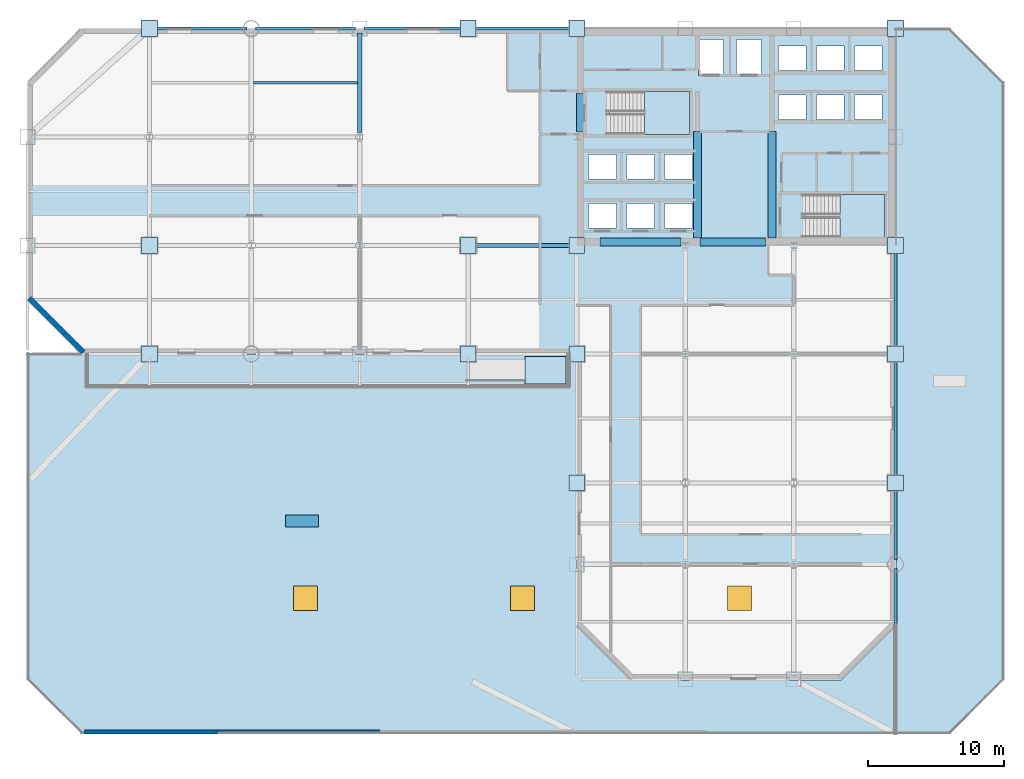
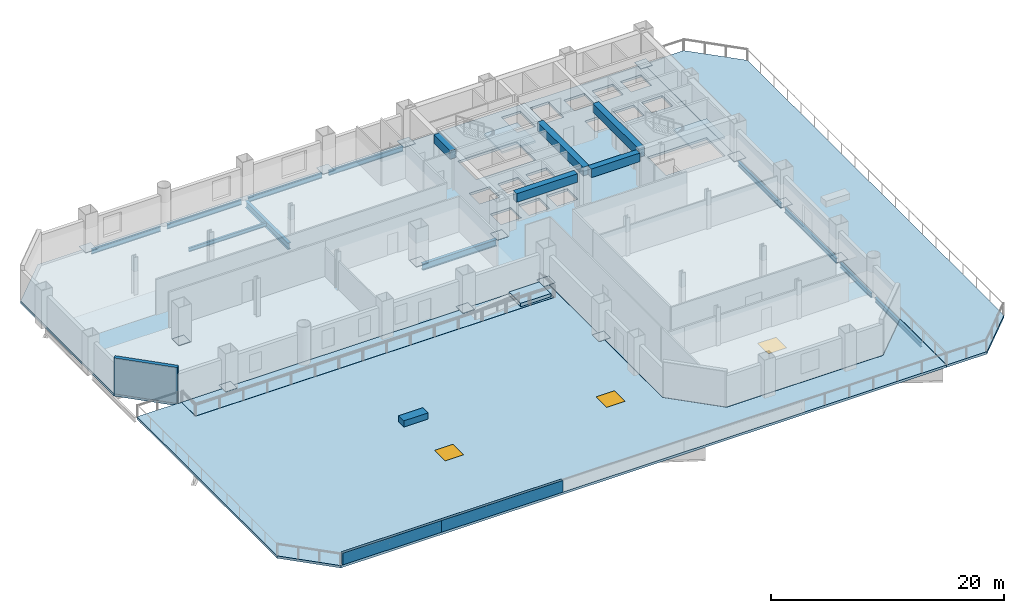
# One storey, part 4 of 11: 16 beams, 14 plates, 7 slabs, 4 walls, 3 windows, 3 openings, 3 elements without a shape of their own.
"""IFC4 building model written with IfcOpenShell, lengths in metres."""

from ifc_helpers import new_model, si_unit, direction, frame, frame_2d, origin, origin_2d, place, context, subcontext, project, spatial, polyline, rectangle, i_section, outline, extrude, material, layer, layer_set, material_profile, profile_set, type_object, element, fill, aggregate, save


model = new_model("IFC4")

# Units and contexts
model_context = context("Model", 3, precision=1e-05, world=origin(), true_north=direction((0.0, 1.0)))
body_context = subcontext(model_context, "Body", "Model", "MODEL_VIEW")
ifc_project = project(units=[si_unit("LENGTHUNIT", "METRE"), si_unit("AREAUNIT", "SQUARE_METRE"), si_unit("VOLUMEUNIT", "CUBIC_METRE"), si_unit("PLANEANGLEUNIT", "RADIAN"), si_unit("MASSUNIT", "GRAM", prefix="KILO")], contexts=[model_context])

# Site, building, storey
site_placement = place(None, origin())
site = spatial("IfcSite", under=ifc_project, at=site_placement, CompositionType="ELEMENT")
building_placement = place(site_placement, origin())
building = spatial("IfcBuilding", under=site, at=building_placement, Name="Qianrong Seaharbour Tower", CompositionType="ELEMENT")
storey_placement = place(building_placement, frame((0.0, 0.0, 28.199951171875)))
storey = spatial("IfcBuildingStorey", under=building, at=storey_placement, Name="L06", CompositionType="ELEMENT", Elevation=28.199951171875)

# Beams
ifc_material_1 = material(Name="Structural steel SN490B", Category="steel")
ifc_material_profile_1 = material_profile(ifc_material_1, i_section(OverallWidth=0.300048828125, OverallDepth=0.699951171875, WebThickness=0.012939453125, FlangeThickness=0.02392578125, FilletRadius=0.02587890625, at=origin_2d()), Name="H700x300x13x24")
ifc_profile_set_1 = profile_set([ifc_material_profile_1], Name="Structural steel SN490B")
beam_type_1 = type_object("IfcBeamType", Name="BM-G-700", PredefinedType="BEAM", material=ifc_profile_set_1)
for number, where, z_axis, x_axis, name in (
    (1, (32.820068359375, 36.0, -0.599853515625), (1.0, 0.0, 0.0), (0.0, 1.0, 0.0), "L06 Primary Girder GF G5-G6"),
    (2, (24.5, 44.320068359375, -0.599853515625), (0.0, 1.0, 0.0), (-1.0, 0.0, 0.0), "L06 Primary Girder G4 GG-GH"),
):
    element("IfcBeam", number, at=place(storey_placement, frame(where, z_axis=z_axis, x_axis=x_axis)), inside=storey, type_object=beam_type_1, Name=name, PredefinedType="BEAM", context=body_context, shape_type="SweptSolid", body=[
        extrude(i_section(OverallWidth=0.300048828125, OverallDepth=0.699951171875, WebThickness=0.012939453125, FlangeThickness=0.02392578125, FilletRadius=0.02587890625, at=origin_2d()), origin(), (0.0, 0.0, 1.0), 7.35986328125),
    ])
ifc_material_2 = material(Name="Structural steel SN400B", Category="steel")
ifc_material_profile_2 = material_profile(ifc_material_2, i_section(OverallWidth=0.199951171875, OverallDepth=0.39990234375, WebThickness=0.008056640625, FlangeThickness=0.012939453125, FilletRadius=0.01611328125, at=origin_2d()), Name="H400x200x8x13")
ifc_profile_set_2 = profile_set([ifc_material_profile_2], Name="Structural steel SN400B")
beam_type_2 = type_object("IfcBeamType", Name="BM-J-400", PredefinedType="JOIST", material=ifc_profile_set_2)
beam_1_placement = place(storey_placement, frame((16.64990234375, 48.0, -0.449951171875), z_axis=(1.0, 0.0, 0.0), x_axis=(0.0, 1.0, 0.0)))
element("IfcBeam", 3, at=beam_1_placement, inside=storey, type_object=beam_type_2, Name="L06 Composite Floor Joist G3-G4/GG-GH", PredefinedType="JOIST", context=body_context, shape_type="SweptSolid", body=[
    extrude(i_section(OverallWidth=0.199951171875, OverallDepth=0.39990234375, WebThickness=0.008056640625, FlangeThickness=0.012939453125, FilletRadius=0.01611328125, at=origin_2d()), origin(), (0.0, 0.0, 1.0), 7.7001953125),
])
ifc_material_3 = material(Name="Concrete C70/85", Category="concrete")
ifc_material_profile_3 = material_profile(ifc_material_3, rectangle(XDim=0.60009765625, YDim=0.89990234375, at=origin_2d()), Name="RC600x900")
ifc_profile_set_3 = profile_set([ifc_material_profile_3], Name="Concrete C70/85")
beam_type_3 = type_object("IfcBeamType", Name="BM-LINTEL-900", PredefinedType="LINTEL", material=ifc_profile_set_3)
beam_2_placement = place(storey_placement, frame((40.77001953125, 44.39990234375, 3.300048828125), z_axis=(0.0, 1.0, 0.0), x_axis=(-1.0, 0.0, 0.0)))
element("IfcBeam", 4, at=beam_2_placement, inside=storey, type_object=beam_type_3, Name="L06 Core Coupling Lintel Beam West", PredefinedType="LINTEL", context=body_context, shape_type="SweptSolid", body=[
    extrude(rectangle(XDim=0.60009765625, YDim=0.89990234375, at=origin_2d()), origin(), (0.0, 0.0, 1.0), 2.800048828125),
])
beam_3_placement = place(storey_placement, frame((42.199951171875, 36.27001953125, 3.300048828125), z_axis=(1.0, 0.0, 0.0), x_axis=(0.0, 1.0, 0.0)))
element("IfcBeam", 5, at=beam_3_placement, inside=storey, type_object=beam_type_3, Name="L06 Core Coupling Lintel Beam CBW", PredefinedType="LINTEL", context=body_context, shape_type="SweptSolid", body=[
    extrude(rectangle(XDim=0.60009765625, YDim=0.89990234375, at=origin_2d()), origin(), (0.0, 0.0, 1.0), 6.0),
])
beam_4_placement = place(storey_placement, frame((49.60009765625, 36.27001953125, 3.300048828125), z_axis=(1.0, 0.0, 0.0), x_axis=(0.0, 1.0, 0.0)))
element("IfcBeam", 6, at=beam_4_placement, inside=storey, type_object=beam_type_3, Name="L06 Core Coupling Lintel Beam CBC", PredefinedType="LINTEL", context=body_context, shape_type="SweptSolid", body=[
    extrude(rectangle(XDim=0.60009765625, YDim=0.89990234375, at=origin_2d()), origin(), (0.0, 0.0, 1.0), 4.7998046875),
])
for number, where, z_axis, x_axis, name in (
    (7, (49.39990234375, 36.5400390625, 3.300048828125), (0.0, 1.0, 0.0), (-1.0, 0.0, 0.0), "L06 Internal Core Coupling Beam IW1"),
    (8, (54.89990234375, 36.5400390625, 3.300048828125), (0.0, 1.0, 0.0), (-1.0, 0.0, 0.0), "L06 Internal Core Coupling Beam IW2"),
):
    element("IfcBeam", number, at=place(storey_placement, frame(where, z_axis=z_axis, x_axis=x_axis)), inside=storey, type_object=beam_type_3, Name=name, PredefinedType="LINTEL", context=body_context, shape_type="SweptSolid", body=[
        extrude(rectangle(XDim=0.60009765625, YDim=0.89990234375, at=origin_2d()), origin(), (0.0, 0.0, 1.0), 7.85986328125),
    ])
ifc_material_profile_4 = material_profile(ifc_material_1, i_section(OverallWidth=0.199951171875, OverallDepth=0.5, WebThickness=0.010009765625, FlangeThickness=0.01611328125, FilletRadius=0.02001953125, at=origin_2d()), Name="H500x200x10x16")
ifc_profile_set_4 = profile_set([ifc_material_profile_4], Name="Structural steel SN490B")
beam_type_4 = type_object("IfcBeamType", Name="BM-SP-500", PredefinedType="SPANDREL", material=ifc_profile_set_4)
beam_5_placement = place(storey_placement, frame((9.320068359375, 52.0, -0.5), z_axis=(1.0, 0.0, 0.0), x_axis=(0.0, 1.0, 0.0)))
element("IfcBeam", 9, at=beam_5_placement, inside=storey, type_object=beam_type_4, Name="L06 Spandrel Girder GH G2-G3", PredefinedType="SPANDREL", context=body_context, shape_type="SweptSolid", body=[
    extrude(i_section(OverallWidth=0.199951171875, OverallDepth=0.5, WebThickness=0.010009765625, FlangeThickness=0.01611328125, FilletRadius=0.02001953125, at=origin_2d()), origin(), (0.0, 0.0, 1.0), 6.85986328125),
])
for number, where, z_axis, x_axis, name in (
    (10, (16.820068359375, 52.0, -0.5), (1.0, 0.0, 0.0), (0.0, 1.0, 0.0), "L06 Spandrel Girder GH G3-G4"),
    (11, (24.820068359375, 52.0, -0.5), (1.0, 0.0, 0.0), (0.0, 1.0, 0.0), "L06 Spandrel Girder GH G4-G5"),
    (12, (32.820068359375, 52.0, -0.5), (1.0, 0.0, 0.0), (0.0, 1.0, 0.0), "L06 Spandrel Girder GH G5-G6"),
):
    element("IfcBeam", number, at=place(storey_placement, frame(where, z_axis=z_axis, x_axis=x_axis)), inside=storey, type_object=beam_type_4, Name=name, PredefinedType="SPANDREL", context=body_context, shape_type="SweptSolid", body=[
        extrude(i_section(OverallWidth=0.199951171875, OverallDepth=0.5, WebThickness=0.010009765625, FlangeThickness=0.01611328125, FilletRadius=0.02001953125, at=origin_2d()), origin(), (0.0, 0.0, 1.0), 7.35986328125),
    ])
beam_6_placement = place(storey_placement, frame((64.0, 4.320068359375, -0.5), z_axis=(0.0, 1.0, 0.0), x_axis=(-1.0, 0.0, 0.0)))
element("IfcBeam", 13, at=beam_6_placement, inside=storey, type_object=beam_type_4, Name="L06 Spandrel Girder G9 GB-GC", PredefinedType="SPANDREL", context=body_context, shape_type="SweptSolid", body=[
    extrude(i_section(OverallWidth=0.199951171875, OverallDepth=0.5, WebThickness=0.010009765625, FlangeThickness=0.01611328125, FilletRadius=0.02001953125, at=origin_2d()), origin(), (0.0, 0.0, 1.0), 7.85986328125),
])
beam_7_placement = place(storey_placement, frame((64.0, 12.820068359375, -0.5), z_axis=(0.0, 1.0, 0.0), x_axis=(-1.0, 0.0, 0.0)))
element("IfcBeam", 14, at=beam_7_placement, inside=storey, type_object=beam_type_4, Name="L06 Spandrel Girder G9 GC-GD", PredefinedType="SPANDREL", context=body_context, shape_type="SweptSolid", body=[
    extrude(i_section(OverallWidth=0.199951171875, OverallDepth=0.5, WebThickness=0.010009765625, FlangeThickness=0.01611328125, FilletRadius=0.02001953125, at=origin_2d()), origin(), (0.0, 0.0, 1.0), 5.35986328125),
])
beam_8_placement = place(storey_placement, frame((64.0, 18.820068359375, -0.5), z_axis=(0.0, 1.0, 0.0), x_axis=(-1.0, 0.0, 0.0)))
element("IfcBeam", 15, at=beam_8_placement, inside=storey, type_object=beam_type_4, Name="L06 Spandrel Girder G9 GD-GE", PredefinedType="SPANDREL", context=body_context, shape_type="SweptSolid", body=[
    extrude(i_section(OverallWidth=0.199951171875, OverallDepth=0.5, WebThickness=0.010009765625, FlangeThickness=0.01611328125, FilletRadius=0.02001953125, at=origin_2d()), origin(), (0.0, 0.0, 1.0), 8.85986328125),
])
beam_9_placement = place(storey_placement, frame((64.0, 28.320068359375, -0.5), z_axis=(0.0, 1.0, 0.0), x_axis=(-1.0, 0.0, 0.0)))
element("IfcBeam", 16, at=beam_9_placement, inside=storey, type_object=beam_type_4, Name="L06 Spandrel Girder G9 GE-GF", PredefinedType="SPANDREL", context=body_context, shape_type="SweptSolid", body=[
    extrude(i_section(OverallWidth=0.199951171875, OverallDepth=0.5, WebThickness=0.010009765625, FlangeThickness=0.01611328125, FilletRadius=0.02001953125, at=origin_2d()), origin(), (0.0, 0.0, 1.0), 7.35986328125),
])

# Plates
ifc_layer_1 = layer(ifc_material_1, 0.044921875)
ifc_layer_set_1 = layer_set([ifc_layer_1], Name="Structural steel SN490B")
plate_type = type_object("IfcPlateType", Name="PLT-COL-CAP-45", PredefinedType="SHEET", material=ifc_layer_set_1)
for number, where, z_axis, x_axis, name in (
    (17, (9.0, 28.0, -0.0224609375), (0.0, 0.0, 1.0), (1.0, 0.0, 0.0), "L06 Column Splice Cap Plate G2/GE"),
    (18, (9.0, 36.0, -0.0224609375), (0.0, 0.0, 1.0), (1.0, 0.0, 0.0), "L06 Column Splice Cap Plate G2/GF"),
    (19, (9.0, 52.0, -0.0224609375), (0.0, 0.0, 1.0), (1.0, 0.0, 0.0), "L06 Column Splice Cap Plate G2/GH"),
    (20, (32.5, 28.0, -0.0224609375), (0.0, 0.0, 1.0), (1.0, 0.0, 0.0), "L06 Column Splice Cap Plate G5/GE"),
    (21, (32.5, 36.0, -0.0224609375), (0.0, 0.0, 1.0), (1.0, 0.0, 0.0), "L06 Column Splice Cap Plate G5/GF"),
    (22, (32.5, 52.0, -0.0224609375), (0.0, 0.0, 1.0), (1.0, 0.0, 0.0), "L06 Column Splice Cap Plate G5/GH"),
    (23, (40.5, 18.5, -0.0224609375), (0.0, 0.0, 1.0), (1.0, 0.0, 0.0), "L06 Column Splice Cap Plate G6/GD"),
    (24, (40.5, 28.0, -0.0224609375), (0.0, 0.0, 1.0), (1.0, 0.0, 0.0), "L06 Column Splice Cap Plate G6/GE"),
    (25, (40.5, 36.0, -0.0224609375), (0.0, 0.0, 1.0), (1.0, 0.0, 0.0), "L06 Column Splice Cap Plate G6/GF"),
    (26, (40.5, 52.0, -0.0224609375), (0.0, 0.0, 1.0), (1.0, 0.0, 0.0), "L06 Column Splice Cap Plate G6/GH"),
    (27, (64.0, 18.5, -0.0224609375), (0.0, 0.0, 1.0), (1.0, 0.0, 0.0), "L06 Column Splice Cap Plate G9/GD"),
    (28, (64.0, 28.0, -0.0224609375), (0.0, 0.0, 1.0), (1.0, 0.0, 0.0), "L06 Column Splice Cap Plate G9/GE"),
    (29, (64.0, 36.0, -0.0224609375), (0.0, 0.0, 1.0), (1.0, 0.0, 0.0), "L06 Column Splice Cap Plate G9/GF"),
    (30, (64.0, 52.0, -0.0224609375), (0.0, 0.0, 1.0), (1.0, 0.0, 0.0), "L06 Column Splice Cap Plate G9/GH"),
):
    element("IfcPlate", number, at=place(storey_placement, frame(where, z_axis=z_axis, x_axis=x_axis)), inside=storey, type_object=plate_type, Name=name, PredefinedType="SHEET", context=body_context, shape_type="SweptSolid", body=[
        extrude(rectangle(XDim=1.14990234375, YDim=1.14990234375, at=origin_2d()), origin(), (0.0, 0.0, 1.0), 0.044921875),
    ])

# Ramp, slab
ifc_material_4 = material(Name="White architectural precast concrete C45/55", Category="concrete")
ramp_type = type_object("IfcRampType", Name="RAMP-RIBBON-GARDEN", PredefinedType="STRAIGHT_RUN_RAMP", material=ifc_material_4)
ramp_placement = place(storey_placement, origin())
ramp = element("IfcRamp", 31, at=ramp_placement, inside=storey, type_object=ramp_type, Name="L06 Harbourfront Garden Ribbon Ramp", PredefinedType="STRAIGHT_RUN_RAMP")
ifc_layer_2 = layer(ifc_material_4, 0.360107421875)
ifc_layer_set_2 = layer_set([ifc_layer_2], Name="White architectural precast concrete C45/55")
slab_type_1 = type_object("IfcSlabType", Name="SLAB-RAMP-LANDING-220", PredefinedType="LANDING", material=ifc_layer_set_2)
slab_1_placement = place(storey_placement, origin())
slab_1 = element("IfcSlab", 32, at=slab_1_placement, type_object=slab_type_1, Name="L06 Harbourfront Ribbon Raised Garden Landing", PredefinedType="LANDING", context=body_context, shape_type="SweptSolid", body=[
    extrude(outline(polyline([(36.699951171875, 25.800048828125), (39.699951171875, 25.800048828125), (39.699951171875, 27.800048828125), (36.699951171875, 27.800048828125), (36.699951171875, 25.800048828125)])), origin(), (0.0, 0.0, 1.0), 0.360107421875),
])
aggregate(ramp, [slab_1])

# Slab
ifc_layer_3 = layer(ifc_material_4, 0.25)
ifc_layer_set_3 = layer_set([ifc_layer_3], Name="White architectural precast concrete C45/55")
slab_type_2 = type_object("IfcSlabType", Name="SLAB-RIBBON-250", PredefinedType="FLOOR", material=ifc_layer_set_3)
slab_2_placement = place(storey_placement, frame((0.0, 0.0, -0.25)))
element("IfcSlab", 33, at=slab_2_placement, inside=storey, type_object=slab_type_2, Name="L06 Harbourfront White Precast Ribbon Gallery Slab", PredefinedType="FLOOR", context=body_context, shape_type="SweptSolid", body=[
    extrude(outline(polyline([(4.39990234375, 25.60009765625), (39.89990234375, 25.60009765625), (39.89990234375, 28.0), (4.39990234375, 28.0), (4.39990234375, 25.60009765625)])), origin(), (0.0, 0.0, 1.0), 0.25),
])

# Stair, slab
ifc_material_5 = material(Name="Concrete C50/60", Category="concrete")
stair_type = type_object("IfcStairType", Name="STAIR-DOGLEG-1500-R22", PredefinedType="HALF_TURN_STAIR", material=ifc_material_5)
stair_1_placement = place(storey_placement, origin())
stair_1 = element("IfcStair", 34, at=stair_1_placement, inside=storey, type_object=stair_type, Name="L06 Protected Escape Stair ST-1", PredefinedType="HALF_TURN_STAIR")
ifc_layer_4 = layer(ifc_material_5, 0.199951171875)
ifc_layer_set_4 = layer_set([ifc_layer_4], Name="Concrete C50/60")
slab_type_3 = type_object("IfcSlabType", Name="SLAB-STAIR-LANDING-200", PredefinedType="LANDING", material=ifc_layer_set_4)
slab_3_placement = place(storey_placement, frame((0.0, 0.0, 1.800048828125)))
slab_3 = element("IfcSlab", 35, at=slab_3_placement, type_object=slab_type_3, Name="ST-1 landing 1", PredefinedType="LANDING", context=body_context, shape_type="SweptSolid", body=[
    extrude(outline(polyline([(45.5, 44.199951171875), (48.800048828125, 44.199951171875), (48.800048828125, 47.35009765625), (45.5, 47.35009765625), (45.5, 44.199951171875)])), origin(), (0.0, 0.0, 1.0), 0.199951171875),
])
aggregate(stair_1, [slab_3])

stair_2_placement = place(storey_placement, origin())
stair_2 = element("IfcStair", 36, at=stair_2_placement, inside=storey, type_object=stair_type, Name="L06 Protected Escape Stair ST-2", PredefinedType="HALF_TURN_STAIR")
slab_4_placement = place(storey_placement, frame((0.0, 0.0, 1.800048828125)))
slab_4 = element("IfcSlab", 37, at=slab_4_placement, type_object=slab_type_3, Name="ST-2 landing 1", PredefinedType="LANDING", context=body_context, shape_type="SweptSolid", body=[
    extrude(outline(polyline([(59.89990234375, 36.60009765625), (63.199951171875, 36.60009765625), (63.199951171875, 39.75), (59.89990234375, 39.75), (59.89990234375, 36.60009765625)])), origin(), (0.0, 0.0, 1.0), 0.199951171875),
])
aggregate(stair_2, [slab_4])

# Slab, openings, windows
ifc_layer_5 = layer(ifc_material_5, 0.25)
ifc_layer_set_5 = layer_set([ifc_layer_5], Name="Concrete C50/60")
slab_type_4 = type_object("IfcSlabType", Name="SLAB-TERRACE-ROOF-250", PredefinedType="ROOF", material=ifc_layer_set_5)
slab_5_placement = place(storey_placement, frame((0.0, 0.0, -0.25)))
slab_5 = element("IfcSlab", 38, at=slab_5_placement, inside=storey, type_object=slab_type_4, Name="L06 Stepped Sky Garden Terrace Roof Slab 1", PredefinedType="ROOF", context=body_context, shape_type="SweptSolid", body=[
    extrude(outline(polyline([(4.0, 0.0), (0.0, 4.0), (0.0, 28.02001953125), (3.95166015625, 28.02001953125), (3.98583984375, 27.98583984375), (3.9873046875, 27.984619140625), (3.989013671875, 27.9833984375), (3.990478515625, 27.982421875), (3.9921875, 27.9814453125), (3.994140625, 27.98095703125), (3.99609375, 27.98046875), (3.998046875, 27.97998046875), (4.0, 27.97998046875), (4.3798828125, 27.97998046875), (4.3798828125, 25.580078125), (39.919921875, 25.580078125), (39.919921875, 27.97998046875), (40.47998046875, 27.97998046875), (40.47998046875, 8.0), (40.47998046875, 7.998046875), (40.48046875, 7.99609375), (40.48095703125, 7.994140625), (40.4814453125, 7.9921875), (40.482421875, 7.990478515625), (40.4833984375, 7.989013671875), (40.484619140625, 7.9873046875), (40.48583984375, 7.98583984375), (44.48583984375, 3.98583984375), (44.4873046875, 3.984619140625), (44.489013671875, 3.9833984375), (44.490478515625, 3.982421875), (44.4921875, 3.9814453125), (44.494140625, 3.98095703125), (44.49609375, 3.98046875), (44.498046875, 3.97998046875), (44.5, 3.97998046875), (60.0, 3.97998046875), (60.001953125, 3.97998046875), (60.00390625, 3.98046875), (60.005859375, 3.98095703125), (60.0078125, 3.9814453125), (60.009521484375, 3.982421875), (60.010986328125, 3.9833984375), (60.0126953125, 3.984619140625), (60.01416015625, 3.98583984375), (64.0, 7.9716796875), (64.0, 0.0), (4.0, 0.0)])), origin(), (0.0, 0.0, 1.0), 0.25),
])
opening_1_placement = place(slab_5_placement, frame((20.5, 10.0, -0.010009765625)))
opening_1 = element("IfcOpeningElement", 39, at=opening_1_placement, cuts=slab_5, Name="Opening SK-01", PredefinedType="OPENING", context=body_context, shape_type="SweptSolid", body=[
    extrude(rectangle(XDim=1.800048828125, YDim=1.800048828125, at=origin_2d()), origin(), (0.0, 0.0, 1.0), 0.27001953125),
])
opening_2_placement = place(slab_5_placement, frame((36.5, 10.0, -0.010009765625)))
opening_2 = element("IfcOpeningElement", 40, at=opening_2_placement, cuts=slab_5, Name="Opening SK-01", PredefinedType="OPENING", context=body_context, shape_type="SweptSolid", body=[
    extrude(rectangle(XDim=1.800048828125, YDim=1.800048828125, at=origin_2d()), origin(), (0.0, 0.0, 1.0), 0.27001953125),
])
opening_3_placement = place(slab_5_placement, frame((52.5, 10.0, -0.010009765625)))
opening_3 = element("IfcOpeningElement", 41, at=opening_3_placement, cuts=slab_5, Name="Opening SK-01", PredefinedType="OPENING", context=body_context, shape_type="SweptSolid", body=[
    extrude(rectangle(XDim=1.800048828125, YDim=1.800048828125, at=origin_2d()), origin(), (0.0, 0.0, 1.0), 0.27001953125),
])
ifc_material_6 = material(Name="Insulated low-e double glazing in thermally broken aluminium 6063-T6 frame", Category="aluminium")
window_type = type_object("IfcWindowType", Name="WIN-SKY-1800x1800", PartitioningType="SINGLE_PANEL", PredefinedType="SKYLIGHT", material=ifc_material_6)
window_1_placement = place(slab_5_placement, frame((20.5, 10.0, 0.199951171875)))
window_1 = element("IfcWindow", 42, at=window_1_placement, inside=storey, type_object=window_type, Name="L06 Insulated Glass Skylight SK-03", OverallHeight=1.800048828125, OverallWidth=1.800048828125, PartitioningType="SINGLE_PANEL", PredefinedType="SKYLIGHT", context=body_context, shape_type="SweptSolid", body=[
    extrude(rectangle(XDim=1.800048828125, YDim=1.800048828125, at=origin_2d()), origin(), (0.0, 0.0, 1.0), 0.050048828125),
])
fill(opening_1, window_1)
window_2_placement = place(slab_5_placement, frame((36.5, 10.0, 0.199951171875)))
window_2 = element("IfcWindow", 43, at=window_2_placement, inside=storey, type_object=window_type, Name="L06 Insulated Glass Skylight SK-04", OverallHeight=1.800048828125, OverallWidth=1.800048828125, PartitioningType="SINGLE_PANEL", PredefinedType="SKYLIGHT", context=body_context, shape_type="SweptSolid", body=[
    extrude(rectangle(XDim=1.800048828125, YDim=1.800048828125, at=origin_2d()), origin(), (0.0, 0.0, 1.0), 0.050048828125),
])
fill(opening_2, window_2)
window_3_placement = place(slab_5_placement, frame((52.5, 10.0, 0.199951171875)))
window_3 = element("IfcWindow", 44, at=window_3_placement, inside=storey, type_object=window_type, Name="L06 Insulated Glass Skylight SK-05", OverallHeight=1.800048828125, OverallWidth=1.800048828125, PartitioningType="SINGLE_PANEL", PredefinedType="SKYLIGHT", context=body_context, shape_type="SweptSolid", body=[
    extrude(rectangle(XDim=1.800048828125, YDim=1.800048828125, at=origin_2d()), origin(), (0.0, 0.0, 1.0), 0.050048828125),
])
fill(opening_3, window_3)

# Slabs
slab_6_placement = place(storey_placement, frame((0.0, 0.0, -0.25)))
element("IfcSlab", 45, at=slab_6_placement, inside=storey, type_object=slab_type_4, Name="L06 Stepped Sky Garden Terrace Roof Slab 2", PredefinedType="ROOF", context=body_context, shape_type="SweptSolid", body=[
    extrude(outline(polyline([(72.0, 4.0), (68.0, 0.0), (64.02001953125, 0.0), (64.02001953125, 8.0), (64.02001953125, 52.0), (68.0, 52.0), (72.0, 48.0), (72.0, 4.0)])), origin(), (0.0, 0.0, 1.0), 0.25),
])
ifc_layer_6 = layer(ifc_material_5, 0.25)
ifc_layer_set_6 = layer_set([ifc_layer_6], Name="Concrete C50/60")
slab_type_5 = type_object("IfcSlabType", Name="SLAB-Z1-250", PredefinedType="FLOOR", material=ifc_layer_set_6)
slab_7_placement = place(storey_placement, frame((0.0, 0.0, -0.25)))
element("IfcSlab", 46, at=slab_7_placement, inside=storey, type_object=slab_type_5, Name="L06 Structural Floor Slab", PredefinedType="FLOOR", context=body_context, shape_type="SweptSolid", body=[
    extrude(outline(polyline([(44.5, 4.0), (60.0, 4.0), (64.0, 8.0), (64.0, 52.0), (4.0, 52.0), (0.0, 48.0), (0.0, 32.0), (4.0, 28.0), (40.5, 28.0), (40.5, 8.0), (44.5, 4.0)]), holes=[polyline([(42.93994140625, 44.199951171875), (42.93994140625, 47.35009765625), (48.800048828125, 47.35009765625), (48.800048828125, 44.199951171875), (42.93994140625, 44.199951171875)]), polyline([(57.340087890625, 36.60009765625), (57.340087890625, 39.75), (63.199951171875, 39.75), (63.199951171875, 36.60009765625), (57.340087890625, 36.60009765625)]), polyline([(49.47998046875, 48.530029296875), (49.47998046875, 51.169921875), (51.320068359375, 51.169921875), (51.320068359375, 48.530029296875), (49.47998046875, 48.530029296875)]), polyline([(52.280029296875, 48.530029296875), (52.280029296875, 51.169921875), (54.1201171875, 51.169921875), (54.1201171875, 48.530029296875), (52.280029296875, 48.530029296875)]), polyline([(41.3798828125, 37.300048828125), (41.3798828125, 39.10009765625), (43.419921875, 39.10009765625), (43.419921875, 37.300048828125), (41.3798828125, 37.300048828125)]), polyline([(44.179931640625, 37.300048828125), (44.179931640625, 39.10009765625), (46.219970703125, 39.10009765625), (46.219970703125, 37.300048828125), (44.179931640625, 37.300048828125)]), polyline([(46.97998046875, 37.300048828125), (46.97998046875, 39.10009765625), (49.02001953125, 39.10009765625), (49.02001953125, 37.300048828125), (46.97998046875, 37.300048828125)]), polyline([(41.3798828125, 40.89990234375), (41.3798828125, 42.699951171875), (43.419921875, 42.699951171875), (43.419921875, 40.89990234375), (41.3798828125, 40.89990234375)]), polyline([(44.179931640625, 40.89990234375), (44.179931640625, 42.699951171875), (46.219970703125, 42.699951171875), (46.219970703125, 40.89990234375), (44.179931640625, 40.89990234375)]), polyline([(46.97998046875, 40.89990234375), (46.97998046875, 42.699951171875), (49.02001953125, 42.699951171875), (49.02001953125, 40.89990234375), (46.97998046875, 40.89990234375)]), polyline([(55.3798828125, 45.300048828125), (55.3798828125, 47.10009765625), (57.419921875, 47.10009765625), (57.419921875, 45.300048828125), (55.3798828125, 45.300048828125)]), polyline([(58.179931640625, 45.300048828125), (58.179931640625, 47.10009765625), (60.219970703125, 47.10009765625), (60.219970703125, 45.300048828125), (58.179931640625, 45.300048828125)]), polyline([(60.97998046875, 45.300048828125), (60.97998046875, 47.10009765625), (63.02001953125, 47.10009765625), (63.02001953125, 45.300048828125), (60.97998046875, 45.300048828125)]), polyline([(55.3798828125, 48.89990234375), (55.3798828125, 50.699951171875), (57.419921875, 50.699951171875), (57.419921875, 48.89990234375), (55.3798828125, 48.89990234375)]), polyline([(58.179931640625, 48.89990234375), (58.179931640625, 50.699951171875), (60.219970703125, 50.699951171875), (60.219970703125, 48.89990234375), (58.179931640625, 48.89990234375)]), polyline([(60.97998046875, 48.89990234375), (60.97998046875, 50.699951171875), (63.02001953125, 50.699951171875), (63.02001953125, 48.89990234375), (60.97998046875, 48.89990234375)])]), origin(), (0.0, 0.0, 1.0), 0.25),
])

# Walls
ifc_material_7 = material(Name="Unitised red brick on Precast concrete C45/55", Category="masonry")
ifc_layer_7 = layer(ifc_material_7, 0.360107421875)
ifc_layer_set_7 = layer_set([ifc_layer_7], Name="Unitised red brick on Precast concrete C45/55")
wall_type_1 = type_object("IfcWallType", Name="WALL-EXT-BRICK-RED-360", PredefinedType="SOLIDWALL", material=ifc_layer_set_7)
wall_1_placement = place(storey_placement, frame((4.127197265625, 28.127197265625, 0.0), z_axis=(0.0, 0.0, 1.0), x_axis=(-0.707106781187, 0.707106781187, 0.0)))
element("IfcWall", 47, at=wall_1_placement, inside=storey, type_object=wall_type_1, Name="L06 Exterior Masonry Facade Wall E02", PredefinedType="SOLIDWALL", context=body_context, shape_type="SweptSolid", body=[
    extrude(rectangle(XDim=5.65673828125, YDim=0.360107421875, at=frame_2d((2.828369140625, 0.0))), origin(), (0.0, 0.0, 1.0), 3.75),
])
ifc_layer_8 = layer(ifc_material_4, 0.260009765625)
ifc_layer_set_8 = layer_set([ifc_layer_8], Name="White architectural precast concrete C45/55")
wall_type_2 = type_object("IfcWallType", Name="WALL-PARAPET-WHITE-260", PredefinedType="PARAPET", material=ifc_layer_set_8)
wall_2_placement = place(storey_placement, frame((4.199951171875, 0.1298828125, 0.0), z_axis=(0.0, 0.0, 1.0), x_axis=(1.0, 0.0, 0.0)))
element("IfcWall", 48, at=wall_2_placement, inside=storey, type_object=wall_type_2, Name="Podium Roof Garden Masonry Parapet L06-S1", PredefinedType="PARAPET", context=body_context, shape_type="SweptSolid", body=[
    extrude(rectangle(XDim=9.800048828125, YDim=0.260009765625, at=frame_2d((4.89990234375, 0.0))), origin(), (0.0, 0.0, 1.0), 1.219970703125),
])
wall_3_placement = place(storey_placement, frame((14.0, 0.1298828125, 0.0), z_axis=(0.0, 0.0, 1.0), x_axis=(1.0, 0.0, 0.0)))
element("IfcWall", 49, at=wall_3_placement, inside=storey, type_object=wall_type_2, Name="Podium Roof Garden Masonry Parapet L06-S2", PredefinedType="PARAPET", context=body_context, shape_type="SweptSolid", body=[
    extrude(rectangle(XDim=12.0, YDim=0.260009765625, at=frame_2d((6.0, 0.0))), origin(), (0.0, 0.0, 1.0), 1.219970703125),
])
ifc_layer_9 = layer(ifc_material_4, 0.89990234375)
ifc_layer_set_9 = layer_set([ifc_layer_9], Name="White architectural precast concrete C45/55")
wall_type_3 = type_object("IfcWallType", Name="WALL-PLANTER-KERB-210", PredefinedType="PARAPET", material=ifc_layer_set_9)
wall_4_placement = place(storey_placement, frame((19.0400390625, 15.68994140625, 0.0), z_axis=(0.0, 0.0, 1.0), x_axis=(1.0, 0.0, 0.0)))
element("IfcWall", 50, at=wall_4_placement, inside=storey, type_object=wall_type_3, Name="L06 Sky Garden Structural Planter PLANTER 1", PredefinedType="PARAPET", context=body_context, shape_type="SweptSolid", body=[
    extrude(rectangle(XDim=2.39990234375, YDim=0.89990234375, at=frame_2d((1.199951171875, 0.0))), origin(), (0.0, 0.0, 1.0), 0.650146484375),
])

save(model, "model.ifc")
